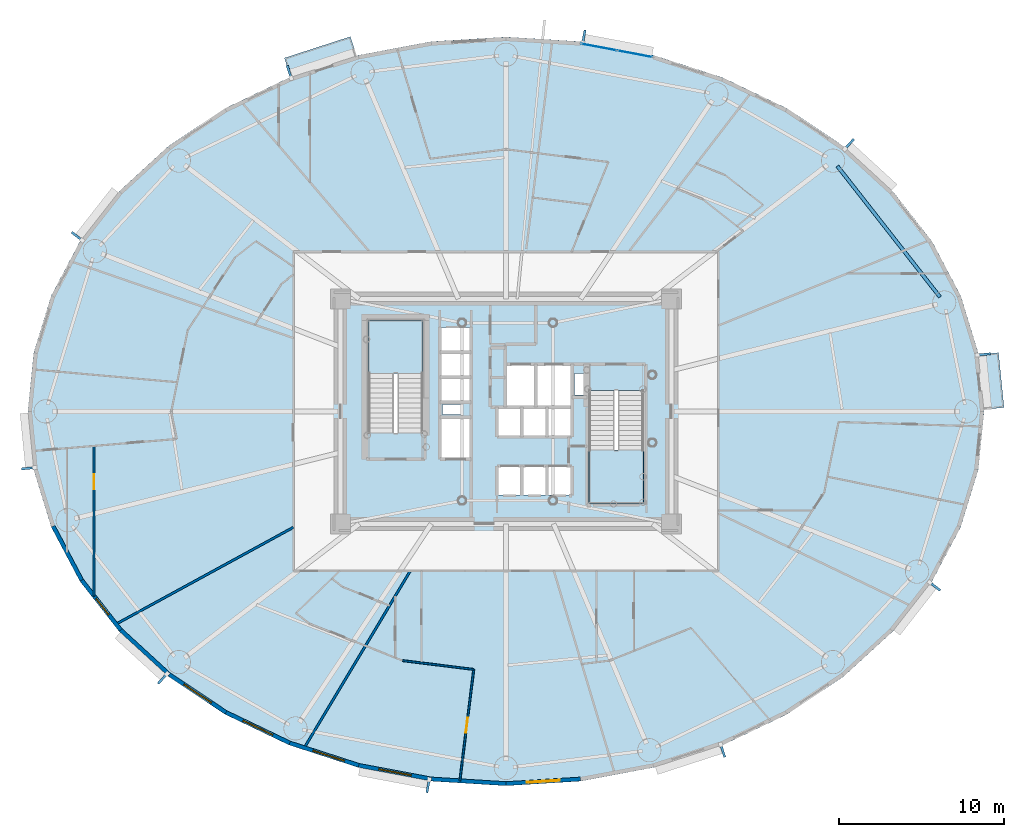
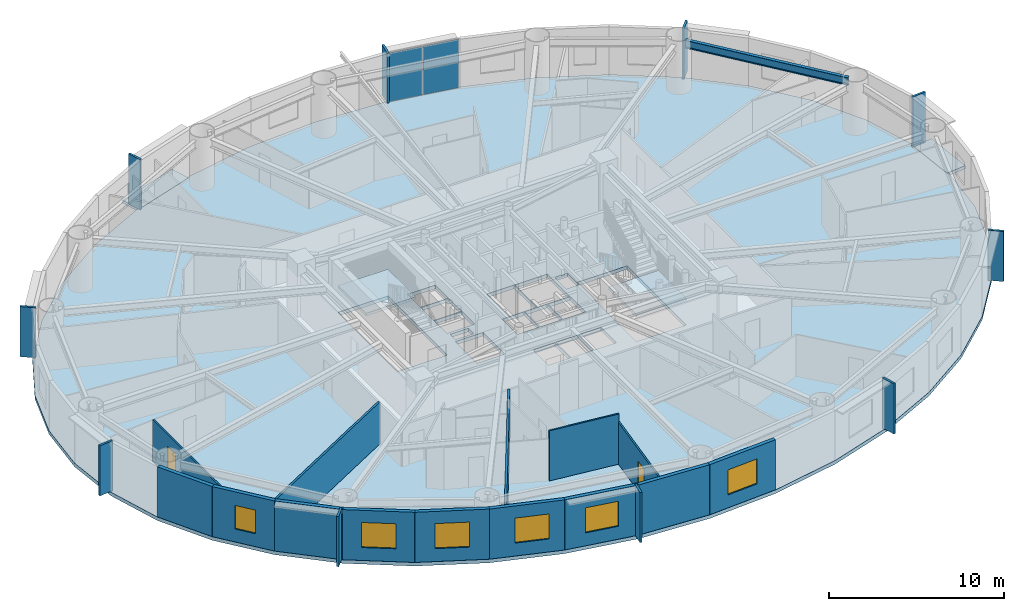
# One storey, part 6 of 18: 14 walls, 12 plates, 6 windows, 5 slabs, 2 doors, 1 beam, 8 openings, 3 elements without a shape of their own.
"""IFC4 building model written with IfcOpenShell, lengths in metres."""

from ifc_helpers import new_model, si_unit, direction, frame, frame_2d, origin, origin_2d, place, context, subcontext, project, spatial, polyline, rectangle, i_section, outline, extrude, source, transform, mapped, material, layer, layer_set, material_profile, profile_set, type_object, element, fill, aggregate, save


model = new_model("IFC4")

# Units and contexts
model_context = context("Model", 3, precision=1e-05, world=origin(), true_north=direction((0.0, 1.0)))
body_context = subcontext(model_context, "Body", "Model", "MODEL_VIEW")
ifc_project = project(units=[si_unit("LENGTHUNIT", "METRE"), si_unit("AREAUNIT", "SQUARE_METRE"), si_unit("VOLUMEUNIT", "CUBIC_METRE"), si_unit("PLANEANGLEUNIT", "RADIAN"), si_unit("MASSUNIT", "GRAM", prefix="KILO")], contexts=[model_context])

# Site, building, storey
site_placement = place(None, origin())
site = spatial("IfcSite", under=ifc_project, at=site_placement, CompositionType="ELEMENT")
building_placement = place(site_placement, origin())
building = spatial("IfcBuilding", under=site, at=building_placement, Name="Linh Dai School and Residence Tower", CompositionType="ELEMENT")
storey_placement = place(building_placement, frame((0.0, 0.0, 104.699951171875)))
storey = spatial("IfcBuildingStorey", under=building, at=storey_placement, Name="L24", CompositionType="ELEMENT", Elevation=104.699951171875)

# Beam
ifc_material_1 = material(Name="Structural Steel S355JR", Category="steel")
ifc_material_profile = material_profile(ifc_material_1, i_section(OverallWidth=0.2099609375, OverallDepth=0.550048828125, WebThickness=0.010986328125, FlangeThickness=0.01708984375, FilletRadius=0.02392578125, at=origin_2d()), Name="IPE 550")
ifc_profile_set = profile_set([ifc_material_profile], Name="Structural Steel S355JR")
beam_type = type_object("IfcBeamType", Name="BM-RB55", PredefinedType="BEAM", material=ifc_profile_set)
beam_placement = place(storey_placement, frame((62.233642578125, 33.91162109375, 3.22509765625), z_axis=(-0.616854830973, 0.787076945098, 0.0), x_axis=(-0.787076945098, -0.616854830973, 0.0)))
element("IfcBeam", 1, at=beam_placement, inside=storey, type_object=beam_type, Name="L24 Perimeter Elliptical Ring Beam 02", PredefinedType="BEAM", context=body_context, shape_type="SweptSolid", body=[
    extrude(i_section(OverallWidth=0.2099609375, OverallDepth=0.550048828125, WebThickness=0.010986328125, FlangeThickness=0.01708984375, FilletRadius=0.02392578125, at=origin_2d()), origin(), (0.0, 0.0, 1.0), 10.053955078125),
])

# Slabs
ifc_material_2 = material(Name="Concrete B45 (C35/45)", Category="concrete")
ifc_layer_1 = layer(ifc_material_2, 0.219970703125)
ifc_layer_set_1 = layer_set([ifc_layer_1], Name="Concrete B45 (C35/45)")
slab_type_1 = type_object("IfcSlabType", Name="SLB-BALC-220", PredefinedType="FLOOR", material=ifc_layer_set_1)
slab_1_placement = place(storey_placement, frame((0.0, 0.0, -0.219970703125)))
element("IfcSlab", 2, at=slab_1_placement, inside=storey, type_object=slab_type_1, Name="L24 Sliding Balcony Slab 01", PredefinedType="FLOOR", context=body_context, shape_type="SweptSolid", body=[
    extrude(outline(polyline([(64.4765625, 30.42041015625), (64.809814453125, 27.10400390625), (66.103271484375, 27.234130859375), (65.77001953125, 30.55029296875), (64.4765625, 30.42041015625)])), origin(), (0.0, 0.0, 1.0), 0.219970703125),
])
slab_2_placement = place(storey_placement, frame((0.0, 0.0, -0.219970703125)))
element("IfcSlab", 3, at=slab_2_placement, inside=storey, type_object=slab_type_1, Name="L24 Sliding Balcony Slab 13", PredefinedType="FLOOR", context=body_context, shape_type="SweptSolid", body=[
    extrude(outline(polyline([(23.00732421875, 47.12109375), (26.9912109375, 48.413330078125), (26.590087890625, 49.64990234375), (22.606201171875, 48.357666015625), (23.00732421875, 47.12109375)])), origin(), (0.0, 0.0, 1.0), 0.219970703125),
])
ifc_layer_2 = layer(ifc_material_2, 0.25)
ifc_layer_set_2 = layer_set([ifc_layer_2], Name="Concrete B45 (C35/45)")
slab_type_2 = type_object("IfcSlabType", Name="SLB-FLR250", PredefinedType="FLOOR", material=ifc_layer_set_2)
slab_3_placement = place(storey_placement, frame((0.0, 0.0, -0.25)))
element("IfcSlab", 4, at=slab_3_placement, inside=storey, type_object=slab_type_2, Name="L24 Composite Structural Floor Slab", PredefinedType="FLOOR", context=body_context, shape_type="SweptSolid", body=[
    extrude(outline(polyline([(64.89990234375, 27.0), (64.544189453125, 30.5400390625), (63.485595703125, 33.9931640625), (61.75, 37.27392578125), (59.380615234375, 40.301513671875), (56.435302734375, 43.001708984375), (52.987060546875, 45.30810546875), (49.120361328125, 47.16357421875), (44.9306640625, 48.5224609375), (40.52099609375, 49.351318359375), (36.0, 49.6298828125), (31.47900390625, 49.351318359375), (27.0693359375, 48.5224609375), (22.879638671875, 47.16357421875), (19.012939453125, 45.30810546875), (15.564697265625, 43.001708984375), (12.619384765625, 40.301513671875), (10.25, 37.27392578125), (8.514404296875, 33.9931640625), (7.455810546875, 30.5400390625), (7.10009765625, 27.0), (7.455810546875, 23.4599609375), (8.514404296875, 20.0068359375), (10.25, 16.72607421875), (12.619384765625, 13.698486328125), (15.564697265625, 10.998291015625), (19.012939453125, 8.69189453125), (22.879638671875, 6.83642578125), (27.0693359375, 5.4775390625), (31.47900390625, 4.648681640625), (36.0, 4.3701171875), (40.52099609375, 4.648681640625), (44.9306640625, 5.4775390625), (49.120361328125, 6.83642578125), (52.987060546875, 8.69189453125), (56.435302734375, 10.998291015625), (59.380615234375, 13.698486328125), (61.75, 16.72607421875), (63.485595703125, 20.0068359375), (64.544189453125, 23.4599609375), (64.89990234375, 27.0)]), holes=[polyline([(30.97998046875, 25.699951171875), (30.97998046875, 32.5), (27.679931640625, 32.5), (27.679931640625, 25.699951171875), (30.97998046875, 25.699951171875)]), polyline([(41.02001953125, 28.25), (41.02001953125, 21.449951171875), (44.320068359375, 21.449951171875), (44.320068359375, 28.25), (41.02001953125, 28.25)]), polyline([(35.97998046875, 27.280029296875), (37.77001953125, 27.280029296875), (37.77001953125, 29.820068359375), (35.97998046875, 29.820068359375), (35.97998046875, 27.280029296875)]), polyline([(32.030029296875, 24.1298828125), (33.8701171875, 24.1298828125), (33.8701171875, 26.6201171875), (32.030029296875, 26.6201171875), (32.030029296875, 24.1298828125)]), polyline([(37.830078125, 27.280029296875), (39.969970703125, 27.280029296875), (39.969970703125, 29.820068359375), (37.830078125, 29.820068359375), (37.830078125, 27.280029296875)]), polyline([(35.47998046875, 21.929931640625), (36.929931640625, 21.929931640625), (36.929931640625, 23.669921875), (35.47998046875, 23.669921875), (35.47998046875, 21.929931640625)]), polyline([(36.989990234375, 21.929931640625), (38.449951171875, 21.929931640625), (38.449951171875, 23.669921875), (36.989990234375, 23.669921875), (36.989990234375, 21.929931640625)]), polyline([(38.510009765625, 21.929931640625), (39.969970703125, 21.929931640625), (39.969970703125, 23.669921875), (38.510009765625, 23.669921875), (38.510009765625, 21.929931640625)]), polyline([(32.030029296875, 27.580078125), (33.8701171875, 27.580078125), (33.8701171875, 29.030029296875), (32.030029296875, 29.030029296875), (32.030029296875, 27.580078125)]), polyline([(32.030029296875, 29.090087890625), (33.8701171875, 29.090087890625), (33.8701171875, 30.550048828125), (32.030029296875, 30.550048828125), (32.030029296875, 29.090087890625)]), polyline([(32.030029296875, 30.610107421875), (33.8701171875, 30.610107421875), (33.8701171875, 32.070068359375), (32.030029296875, 32.070068359375), (32.030029296875, 30.610107421875)]), polyline([(35.47998046875, 25.47998046875), (36.929931640625, 25.47998046875), (36.929931640625, 27.219970703125), (35.47998046875, 27.219970703125), (35.47998046875, 25.47998046875)]), polyline([(36.989990234375, 25.47998046875), (38.449951171875, 25.47998046875), (38.449951171875, 27.219970703125), (36.989990234375, 27.219970703125), (36.989990234375, 25.47998046875)]), polyline([(38.510009765625, 25.47998046875), (39.969970703125, 25.47998046875), (39.969970703125, 27.219970703125), (38.510009765625, 27.219970703125), (38.510009765625, 25.47998046875)]), polyline([(40.14990234375, 28.0), (40.14990234375, 29.300048828125), (41.0, 29.300048828125), (41.0, 28.280029296875), (40.989990234375, 28.280029296875), (40.989990234375, 28.0), (40.14990234375, 28.0)]), polyline([(32.14990234375, 26.800048828125), (33.35009765625, 26.800048828125), (33.35009765625, 27.39990234375), (32.14990234375, 27.39990234375), (32.14990234375, 26.800048828125)])]), origin(), (0.0, 0.0, 1.0), 0.25),
])

# Stair, slab
stair_type = type_object("IfcStairType", Name="ST-DOG-1550-R1442", PredefinedType="HALF_TURN_STAIR", material=ifc_material_2)
stair_1_placement = place(storey_placement, origin())
stair_1 = element("IfcStair", 5, at=stair_1_placement, inside=storey, type_object=stair_type, Name="L24 Core Smokeproof Exit Stair ST1", PredefinedType="HALF_TURN_STAIR")
ifc_layer_3 = layer(ifc_material_2, 0.199951171875)
ifc_layer_set_3 = layer_set([ifc_layer_3], Name="Concrete B45 (C35/45)")
slab_type_3 = type_object("IfcSlabType", Name="SLB-ST-LANDING-200", PredefinedType="LANDING", material=ifc_layer_set_3)
slab_4_placement = place(storey_placement, frame((0.0, 0.0, 1.675048828125)))
slab_4 = element("IfcSlab", 6, at=slab_4_placement, type_object=slab_type_3, Name="ST1 landing 1", PredefinedType="LANDING", context=body_context, shape_type="SweptSolid", body=[
    extrude(outline(polyline([(30.97998046875, 29.300048828125), (30.97998046875, 32.5), (27.679931640625, 32.5), (27.679931640625, 29.300048828125), (30.97998046875, 29.300048828125)])), origin(), (0.0, 0.0, 1.0), 0.199951171875),
])
aggregate(stair_1, [slab_4])

stair_2_placement = place(storey_placement, origin())
stair_2 = element("IfcStair", 7, at=stair_2_placement, inside=storey, type_object=stair_type, Name="L24 Core Smokeproof Exit Stair ST2", PredefinedType="HALF_TURN_STAIR")
slab_5_placement = place(storey_placement, frame((0.0, 0.0, 1.675048828125)))
slab_5 = element("IfcSlab", 8, at=slab_5_placement, type_object=slab_type_3, Name="ST2 landing 1", PredefinedType="LANDING", context=body_context, shape_type="SweptSolid", body=[
    extrude(outline(polyline([(41.02001953125, 24.64990234375), (41.02001953125, 21.449951171875), (44.320068359375, 21.449951171875), (44.320068359375, 24.64990234375), (41.02001953125, 24.64990234375)])), origin(), (0.0, 0.0, 1.0), 0.199951171875),
])
aggregate(stair_2, [slab_5])

# Plates
ifc_material_3 = material(Name="Precast Concrete B45 (C35/45)", Category="concrete")
ifc_layer_4 = layer(ifc_material_3, 0.139892578125)
ifc_layer_set_4 = layer_set([ifc_layer_4], Name="Precast Concrete B45 (C35/45)")
plate_type_1 = type_object("IfcPlateType", Name="FIN-TC-900x140", PredefinedType="USERDEFINED", material=ifc_layer_set_4)
shared_shape_1 = source(origin(), body_context, "Body", "SweptSolid", [
    extrude(rectangle(XDim=0.89990234375, YDim=0.139892578125, at=origin_2d()), origin(), (0.0, 0.0, 1.0), 3.5),
])
for number, where, z_axis, x_axis, name in (
    (9, (64.841552734375, 30.43701171875, 0.0), (0.0, 0.0, 1.0), (0.994986703684, 0.100007297192, 0.0), "L24 Precast Terracotta Radial Fin 01"),
    (10, (56.723876953125, 43.12451171875, 0.0), (0.0, 0.0, 1.0), (0.675783395482, 0.737100266172, 0.0), "L24 Precast Terracotta Radial Fin 05"),
    (11, (40.69921875, 49.608154296875, 0.0), (0.0, 0.0, 1.0), (0.18475466193, 0.982784673718, 0.0), "L24 Precast Terracotta Radial Fin 09"),
    (12, (22.91357421875, 47.474365234375, 0.0), (0.0, 0.0, 1.0), (-0.308522363457, 0.951217089442, 0.0), "L24 Precast Terracotta Radial Fin 13"),
    (13, (10.105712890625, 37.552734375, 0.0), (0.0, 0.0, 1.0), (-0.787507539838, 0.616305017583, 0.0), "L24 Precast Terracotta Radial Fin 17"),
    (14, (7.158447265625, 23.56298828125, 0.0), (0.0, 0.0, 1.0), (-0.994986703684, -0.100007297192, 0.0), "L24 Precast Terracotta Radial Fin 21"),
    (15, (15.276123046875, 10.87548828125, 0.0), (0.0, 0.0, 1.0), (-0.675783395482, -0.737100266172, 0.0), "L24 Precast Terracotta Radial Fin 25"),
    (16, (31.30078125, 4.391845703125, 0.0), (0.0, 0.0, 1.0), (-0.18475466193, -0.982784673718, 0.0), "L24 Precast Terracotta Radial Fin 29"),
    (17, (49.08642578125, 6.525634765625, 0.0), (0.0, 0.0, 1.0), (0.308522363457, -0.951217089442, 0.0), "L24 Precast Terracotta Radial Fin 33"),
    (18, (61.894287109375, 16.447265625, 0.0), (0.0, 0.0, 1.0), (0.787507539838, -0.616305017583, 0.0), "L24 Precast Terracotta Radial Fin 37"),
):
    element("IfcPlate", number, at=place(storey_placement, frame(where, z_axis=z_axis, x_axis=x_axis)), inside=storey, type_object=plate_type_1, Name=name, ObjectType="RADIAL FIN", PredefinedType="USERDEFINED", context=body_context, shape_type="MappedRepresentation", body=[
        mapped(shared_shape_1, transform((0.0, 0.0, 0.0), x_axis=(1.0, 0.0, 0.0), y_axis=(0.0, 1.0, 0.0), z_axis=(0.0, 0.0, 1.0), scale=1.0)),
    ])

# Curtain wall, plates
ifc_material_4 = material(Name="Aluminium Anodised Curtain Wall", Category="aluminium")
ifc_layer_5 = layer(ifc_material_4, 0.14990234375)
ifc_layer_set_5 = layer_set([ifc_layer_5], Name="Aluminium Anodised Curtain Wall")
curtain_wall_type = type_object("IfcCurtainWallType", Name="CW-SYS-4", PredefinedType="USERDEFINED", material=ifc_layer_set_5)
curtain_wall_placement = place(storey_placement, origin())
curtain_wall = element("IfcCurtainWall", 19, at=curtain_wall_placement, inside=storey, type_object=curtain_wall_type, Name="L24 CW4 Curtain Wall 09", ObjectType="RIBBON CURTAIN WALL", PredefinedType="USERDEFINED")
ifc_material_5 = material(Name="Double Low-E Insulated Glazing", Category="glass")
ifc_layer_6 = layer(ifc_material_5, 0.02587890625)
ifc_layer_set_6 = layer_set([ifc_layer_6], Name="Double Low-E Insulated Glazing")
plate_type_2 = type_object("IfcPlateType", Name="CW-SYS-4-PAN", PredefinedType="CURTAIN_PANEL", material=ifc_layer_set_6)
shared_shape_2 = source(origin(), body_context, "Body", "SweptSolid", [
    extrude(rectangle(XDim=2.157470703125, YDim=0.02587890625, at=origin_2d()), origin(), (0.0, 0.0, 1.0), 3.39599609375),
])
plate_1_placement = place(storey_placement, frame((41.616943359375, 49.018310546875, 0.052001953125), z_axis=(0.0, 0.0, 1.0), x_axis=(0.982784673718, -0.18475466193, 0.0)))
plate_1 = element("IfcPlate", 20, at=plate_1_placement, type_object=plate_type_2, Name="CW4 panel 1.1", PredefinedType="CURTAIN_PANEL", context=body_context, shape_type="MappedRepresentation", body=[
    mapped(shared_shape_2, transform((0.0, 0.0, 0.0), x_axis=(1.0, 0.0, 0.0), y_axis=(0.0, 1.0, 0.0), z_axis=(0.0, 0.0, 1.0), scale=1.0)),
])
plate_2_placement = place(storey_placement, frame((43.788330078125, 48.610107421875, 0.052001953125), z_axis=(0.0, 0.0, 1.0), x_axis=(0.982784673718, -0.18475466193, 0.0)))
plate_2 = element("IfcPlate", 21, at=plate_2_placement, type_object=plate_type_2, Name="CW4 panel 2.1", PredefinedType="CURTAIN_PANEL", context=body_context, shape_type="MappedRepresentation", body=[
    mapped(shared_shape_2, transform((0.0, 0.0, 0.0), x_axis=(1.0, 0.0, 0.0), y_axis=(0.0, 1.0, 0.0), z_axis=(0.0, 0.0, 1.0), scale=1.0)),
])
aggregate(curtain_wall, [plate_1, plate_2])

# Wall
ifc_layer_7 = layer(ifc_material_3, 0.239990234375)
ifc_layer_set_7 = layer_set([ifc_layer_7], Name="Precast Concrete B45 (C35/45)")
wall_type_1 = type_object("IfcWallType", Name="EW-TC-240", PredefinedType="SOLIDWALL", material=ifc_layer_set_7)
wall_1_placement = place(storey_placement, frame((10.354736328125, 16.79443359375, 0.0), z_axis=(0.0, 0.0, 1.0), x_axis=(-0.467614004126, 0.883932770716, 0.0)))
element("IfcWall", 22, at=wall_1_placement, inside=storey, type_object=wall_type_1, Name="L24 Terracotta Exterior Wall 23", PredefinedType="SOLIDWALL", context=body_context, shape_type="SweptSolid", body=[
    extrude(rectangle(XDim=3.688720703125, YDim=0.239990234375, at=frame_2d((1.84423828125, 0.0))), origin(), (0.0, 0.0, 1.0), 3.5),
])

# Wall, opening, window
wall_2_placement = place(storey_placement, frame((12.7109375, 13.783447265625, 0.0), z_axis=(0.0, 0.0, 1.0), x_axis=(-0.616272103517, 0.787533297345, 0.0)))
wall_2 = element("IfcWall", 23, at=wall_2_placement, inside=storey, type_object=wall_type_1, Name="L24 Terracotta Exterior Wall 24", PredefinedType="SOLIDWALL", context=body_context, shape_type="SweptSolid", body=[
    extrude(rectangle(XDim=3.8232421875, YDim=0.239990234375, at=frame_2d((1.91162109375, 0.0))), origin(), (0.0, 0.0, 1.0), 3.5),
])
opening_1_placement = place(wall_2_placement, frame((1.168212890625, 0.0, 0.89990234375)))
opening_1 = element("IfcOpeningElement", 24, at=opening_1_placement, cuts=wall_2, Name="Opening W3", PredefinedType="OPENING", context=body_context, shape_type="SweptSolid", body=[
    extrude(rectangle(XDim=1.25, YDim=1.64990234375, at=origin_2d()), frame((0.625, 0.1298828125, 0.824951171875), z_axis=(0.0, -1.0, 0.0), x_axis=(1.0, 0.0, 0.0)), (0.0, 0.0, 1.0), 0.260009765625),
])
window_type_1 = type_object("IfcWindowType", Name="WN-RES-1250x1650", PartitioningType="SINGLE_PANEL", PredefinedType="WINDOW", material=ifc_material_5)
shared_shape_3 = source(origin(), body_context, "Body", "SweptSolid", [
    extrude(rectangle(XDim=1.25, YDim=1.64990234375, at=origin_2d()), frame((0.625, 0.030029296875, 0.824951171875), z_axis=(0.0, -1.0, 0.0), x_axis=(1.0, 0.0, 0.0)), (0.0, 0.0, 1.0), 0.06005859375),
])
window_1_placement = place(opening_1_placement, origin())
window_1 = element("IfcWindow", 25, at=window_1_placement, inside=storey, type_object=window_type_1, Name="L24 Exterior Window 24.1", OverallHeight=1.64990234375, OverallWidth=1.25, PartitioningType="SINGLE_PANEL", PredefinedType="WINDOW", context=body_context, shape_type="MappedRepresentation", body=[
    mapped(shared_shape_3, transform((0.0, 0.0, 0.0), x_axis=(1.0, 0.0, 0.0), y_axis=(0.0, 1.0, 0.0), z_axis=(0.0, 0.0, 1.0), scale=1.0)),
])
fill(opening_1, window_1)

# Wall
wall_3_placement = place(storey_placement, frame((15.6416015625, 11.0966796875, 0.0), z_axis=(0.0, 0.0, 1.0), x_axis=(-0.737113356241, 0.675769117414, 0.0)))
element("IfcWall", 26, at=wall_3_placement, inside=storey, type_object=wall_type_1, Name="L24 Terracotta Exterior Wall 25", PredefinedType="SOLIDWALL", context=body_context, shape_type="SweptSolid", body=[
    extrude(rectangle(XDim=3.975830078125, YDim=0.239990234375, at=frame_2d((1.98779296875, 0.0))), origin(), (0.0, 0.0, 1.0), 3.5),
])

# Wall, opening, window
wall_4_placement = place(storey_placement, frame((19.07470703125, 8.800537109375, 0.0), z_axis=(0.0, 0.0, 1.0), x_axis=(-0.831221811447, 0.555940914284, 0.0)))
wall_4 = element("IfcWall", 27, at=wall_4_placement, inside=storey, type_object=wall_type_1, Name="L24 Terracotta Exterior Wall 26", PredefinedType="SOLIDWALL", context=body_context, shape_type="SweptSolid", body=[
    extrude(rectangle(XDim=4.130126953125, YDim=0.239990234375, at=frame_2d((2.06494140625, 0.0))), origin(), (0.0, 0.0, 1.0), 3.5),
])
opening_2_placement = place(wall_4_placement, frame((1.06494140625, 0.0, 0.89990234375)))
opening_2 = element("IfcOpeningElement", 28, at=opening_2_placement, cuts=wall_4, Name="Opening W1", PredefinedType="OPENING", context=body_context, shape_type="SweptSolid", body=[
    extrude(rectangle(XDim=2.0, YDim=1.75, at=origin_2d()), frame((1.0, 0.1298828125, 0.875), z_axis=(0.0, -1.0, 0.0), x_axis=(1.0, 0.0, 0.0)), (0.0, 0.0, 1.0), 0.260009765625),
])
window_type_2 = type_object("IfcWindowType", Name="WN-RES-2000x1750", PartitioningType="DOUBLE_PANEL_VERTICAL", PredefinedType="WINDOW", material=ifc_material_5)
shared_shape_4 = source(origin(), body_context, "Body", "SweptSolid", [
    extrude(rectangle(XDim=2.0, YDim=1.75, at=origin_2d()), frame((1.0, 0.030029296875, 0.875), z_axis=(0.0, -1.0, 0.0), x_axis=(1.0, 0.0, 0.0)), (0.0, 0.0, 1.0), 0.06005859375),
])
window_2_placement = place(opening_2_placement, origin())
window_2 = element("IfcWindow", 29, at=window_2_placement, inside=storey, type_object=window_type_2, Name="L24 Exterior Window 26.1", OverallHeight=1.75, OverallWidth=2.0, PartitioningType="DOUBLE_PANEL_VERTICAL", PredefinedType="WINDOW", context=body_context, shape_type="MappedRepresentation", body=[
    mapped(shared_shape_4, transform((0.0, 0.0, 0.0), x_axis=(1.0, 0.0, 0.0), y_axis=(0.0, 1.0, 0.0), z_axis=(0.0, 0.0, 1.0), scale=1.0)),
])
fill(opening_2, window_2)

wall_5_placement = place(storey_placement, frame((22.926025390625, 6.95263671875, 0.0), z_axis=(0.0, 0.0, 1.0), x_axis=(-0.901589935876, 0.432591709962, 0.0)))
wall_5 = element("IfcWall", 30, at=wall_5_placement, inside=storey, type_object=wall_type_1, Name="L24 Terracotta Exterior Wall 27", PredefinedType="SOLIDWALL", context=body_context, shape_type="SweptSolid", body=[
    extrude(rectangle(XDim=4.271728515625, YDim=0.239990234375, at=frame_2d((2.1357421875, 0.0))), origin(), (0.0, 0.0, 1.0), 3.5),
])
opening_3_placement = place(wall_5_placement, frame((1.1357421875, 0.0, 0.89990234375)))
opening_3 = element("IfcOpeningElement", 31, at=opening_3_placement, cuts=wall_5, Name="Opening W1", PredefinedType="OPENING", context=body_context, shape_type="SweptSolid", body=[
    extrude(rectangle(XDim=2.0, YDim=1.75, at=origin_2d()), frame((1.0, 0.1298828125, 0.875), z_axis=(0.0, -1.0, 0.0), x_axis=(1.0, 0.0, 0.0)), (0.0, 0.0, 1.0), 0.260009765625),
])
window_3_placement = place(opening_3_placement, origin())
window_3 = element("IfcWindow", 32, at=window_3_placement, inside=storey, type_object=window_type_2, Name="L24 Exterior Window 27.1", OverallHeight=1.75, OverallWidth=2.0, PartitioningType="DOUBLE_PANEL_VERTICAL", PredefinedType="WINDOW", context=body_context, shape_type="MappedRepresentation", body=[
    mapped(shared_shape_4, transform((0.0, 0.0, 0.0), x_axis=(1.0, 0.0, 0.0), y_axis=(0.0, 1.0, 0.0), z_axis=(0.0, 0.0, 1.0), scale=1.0)),
])
fill(opening_3, window_3)

wall_6_placement = place(storey_placement, frame((27.100341796875, 5.5986328125, 0.0), z_axis=(0.0, 0.0, 1.0), x_axis=(-0.951211346073, 0.308540070495, 0.0)))
wall_6 = element("IfcWall", 33, at=wall_6_placement, inside=storey, type_object=wall_type_1, Name="L24 Terracotta Exterior Wall 28", PredefinedType="SOLIDWALL", context=body_context, shape_type="SweptSolid", body=[
    extrude(rectangle(XDim=4.388427734375, YDim=0.239990234375, at=frame_2d((2.1943359375, 0.0))), origin(), (0.0, 0.0, 1.0), 3.5),
])
opening_4_placement = place(wall_6_placement, frame((0.908935546875, 0.0, 0.89990234375)))
opening_4 = element("IfcOpeningElement", 34, at=opening_4_placement, cuts=wall_6, Name="Opening W1", PredefinedType="OPENING", context=body_context, shape_type="SweptSolid", body=[
    extrude(rectangle(XDim=2.0, YDim=1.75, at=origin_2d()), frame((1.0, 0.1298828125, 0.875), z_axis=(0.0, -1.0, 0.0), x_axis=(1.0, 0.0, 0.0)), (0.0, 0.0, 1.0), 0.260009765625),
])
window_4_placement = place(opening_4_placement, origin())
window_4 = element("IfcWindow", 35, at=window_4_placement, inside=storey, type_object=window_type_2, Name="L24 Exterior Window 28.1", OverallHeight=1.75, OverallWidth=2.0, PartitioningType="DOUBLE_PANEL_VERTICAL", PredefinedType="WINDOW", context=body_context, shape_type="MappedRepresentation", body=[
    mapped(shared_shape_4, transform((0.0, 0.0, 0.0), x_axis=(1.0, 0.0, 0.0), y_axis=(0.0, 1.0, 0.0), z_axis=(0.0, 0.0, 1.0), scale=1.0)),
])
fill(opening_4, window_4)

wall_7_placement = place(storey_placement, frame((31.494384765625, 4.772705078125, 0.0), z_axis=(0.0, 0.0, 1.0), x_axis=(-0.982789252177, 0.184730305596, 0.0)))
wall_7 = element("IfcWall", 36, at=wall_7_placement, inside=storey, type_object=wall_type_1, Name="L24 Terracotta Exterior Wall 29", PredefinedType="SOLIDWALL", context=body_context, shape_type="SweptSolid", body=[
    extrude(rectangle(XDim=4.470947265625, YDim=0.239990234375, at=frame_2d((2.2353515625, 0.0))), origin(), (0.0, 0.0, 1.0), 3.5),
])
opening_5_placement = place(wall_7_placement, frame((1.235595703125, 0.0, 0.89990234375)))
opening_5 = element("IfcOpeningElement", 37, at=opening_5_placement, cuts=wall_7, Name="Opening W1", PredefinedType="OPENING", context=body_context, shape_type="SweptSolid", body=[
    extrude(rectangle(XDim=2.0, YDim=1.75, at=origin_2d()), frame((1.0, 0.1298828125, 0.875), z_axis=(0.0, -1.0, 0.0), x_axis=(1.0, 0.0, 0.0)), (0.0, 0.0, 1.0), 0.260009765625),
])
window_5_placement = place(opening_5_placement, origin())
window_5 = element("IfcWindow", 38, at=window_5_placement, inside=storey, type_object=window_type_2, Name="L24 Exterior Window 29.1", OverallHeight=1.75, OverallWidth=2.0, PartitioningType="DOUBLE_PANEL_VERTICAL", PredefinedType="WINDOW", context=body_context, shape_type="MappedRepresentation", body=[
    mapped(shared_shape_4, transform((0.0, 0.0, 0.0), x_axis=(1.0, 0.0, 0.0), y_axis=(0.0, 1.0, 0.0), z_axis=(0.0, 0.0, 1.0), scale=1.0)),
])
fill(opening_5, window_5)

# Wall
wall_8_placement = place(storey_placement, frame((36.0, 4.4951171875, 0.0), z_axis=(0.0, 0.0, 1.0), x_axis=(-0.998107531589, 0.061492726276, 0.0)))
element("IfcWall", 39, at=wall_8_placement, inside=storey, type_object=wall_type_1, Name="L24 Terracotta Exterior Wall 30", PredefinedType="SOLIDWALL", context=body_context, shape_type="SweptSolid", body=[
    extrude(rectangle(XDim=4.51416015625, YDim=0.239990234375, at=frame_2d((2.257080078125, 0.0))), origin(), (0.0, 0.0, 1.0), 3.5),
])

# Wall, opening, window
wall_9_placement = place(storey_placement, frame((40.505615234375, 4.772705078125, 0.0), z_axis=(0.0, 0.0, 1.0), x_axis=(-0.998107531589, -0.061492726276, 0.0)))
wall_9 = element("IfcWall", 40, at=wall_9_placement, inside=storey, type_object=wall_type_1, Name="L24 Terracotta Exterior Wall 31", PredefinedType="SOLIDWALL", context=body_context, shape_type="SweptSolid", body=[
    extrude(rectangle(XDim=4.51416015625, YDim=0.239990234375, at=frame_2d((2.257080078125, 0.0))), origin(), (0.0, 0.0, 1.0), 3.5),
])
opening_6_placement = place(wall_9_placement, frame((1.257080078125, 0.0, 0.89990234375)))
opening_6 = element("IfcOpeningElement", 41, at=opening_6_placement, cuts=wall_9, Name="Opening W1", PredefinedType="OPENING", context=body_context, shape_type="SweptSolid", body=[
    extrude(rectangle(XDim=2.0, YDim=1.75, at=origin_2d()), frame((1.0, 0.1298828125, 0.875), z_axis=(0.0, -1.0, 0.0), x_axis=(1.0, 0.0, 0.0)), (0.0, 0.0, 1.0), 0.260009765625),
])
window_6_placement = place(opening_6_placement, origin())
window_6 = element("IfcWindow", 42, at=window_6_placement, inside=storey, type_object=window_type_2, Name="L24 Exterior Window 31.1", OverallHeight=1.75, OverallWidth=2.0, PartitioningType="DOUBLE_PANEL_VERTICAL", PredefinedType="WINDOW", context=body_context, shape_type="MappedRepresentation", body=[
    mapped(shared_shape_4, transform((0.0, 0.0, 0.0), x_axis=(1.0, 0.0, 0.0), y_axis=(0.0, 1.0, 0.0), z_axis=(0.0, 0.0, 1.0), scale=1.0)),
])
fill(opening_6, window_6)

# Walls
ifc_material_6 = material(Name="Autoclaved Aerated Concrete Blockwork", Category="masonry")
ifc_layer_8 = layer(ifc_material_6, 0.135009765625)
ifc_layer_set_8 = layer_set([ifc_layer_8], Name="Autoclaved Aerated Concrete Blockwork")
wall_type_2 = type_object("IfcWallType", Name="IW-CORR-135-EI90", PredefinedType="PARTITIONING", material=ifc_layer_set_8)
wall_10_placement = place(storey_placement, frame((12.427001953125, 14.13818359375, 0.0), z_axis=(0.0, 0.0, 1.0), x_axis=(0.877835987922, 0.47896135367, 0.0)))
element("IfcWall", 43, at=wall_10_placement, inside=storey, type_object=wall_type_2, Name="L24 Interior Partition Wall 006", PredefinedType="PARTITIONING", context=body_context, shape_type="SweptSolid", body=[
    extrude(rectangle(XDim=12.215087890625, YDim=0.135009765625, at=frame_2d((6.107421875, 0.0))), origin(), (0.0, 0.0, 1.0), 2.93505859375),
])
wall_11_placement = place(storey_placement, frame((23.8076171875, 6.661376953125, 0.0), z_axis=(0.0, 0.0, 1.0), x_axis=(0.51416439954, 0.857691652195, 0.0)))
element("IfcWall", 44, at=wall_11_placement, inside=storey, type_object=wall_type_2, Name="L24 Interior Partition Wall 021", PredefinedType="PARTITIONING", context=body_context, shape_type="SweptSolid", body=[
    extrude(rectangle(XDim=12.4619140625, YDim=0.135009765625, at=frame_2d((6.23095703125, 0.0))), origin(), (0.0, 0.0, 1.0), 2.93505859375),
])

# Wall, opening, door
ifc_material_7 = material(Name="Gypsum Plasterboard Acoustic Stud Partition", Category="masonry")
ifc_layer_9 = layer(ifc_material_7, 0.10009765625)
ifc_layer_set_9 = layer_set([ifc_layer_9], Name="Gypsum Plasterboard Acoustic Stud Partition")
wall_type_3 = type_object("IfcWallType", Name="IW-UNIT-100", PredefinedType="PARTITIONING", material=ifc_layer_set_9)
wall_12_placement = place(storey_placement, frame((11.099853515625, 15.833984375, 0.0), z_axis=(0.0, 0.0, 1.0), x_axis=(0.0, 1.0, 0.0)))
wall_12 = element("IfcWall", 45, at=wall_12_placement, inside=storey, type_object=wall_type_3, Name="L24 Interior Partition Wall 005", PredefinedType="PARTITIONING", context=body_context, shape_type="SweptSolid", body=[
    extrude(rectangle(XDim=9.07763671875, YDim=0.10009765625, at=frame_2d((4.538818359375, 0.0))), origin(), (0.0, 0.0, 1.0), 2.93505859375),
])
opening_7_placement = place(wall_12_placement, frame((6.47021484375, 0.0, 0.0)))
opening_7 = element("IfcOpeningElement", 46, at=opening_7_placement, cuts=wall_12, Name="Opening D05", PredefinedType="OPENING", context=body_context, shape_type="SweptSolid", body=[
    extrude(rectangle(XDim=0.89990234375, YDim=2.10009765625, at=origin_2d()), frame((0.449951171875, 0.06005859375, 1.050048828125), z_axis=(0.0, -1.0, 0.0), x_axis=(1.0, 0.0, 0.0)), (0.0, 0.0, 1.0), 0.1201171875),
])
ifc_material_8 = material(Name="Engineered Timber Internal Door", Category="wood")
door_type = type_object("IfcDoorType", Name="DR-INT-900x2100", OperationType="NOTDEFINED", PredefinedType="DOOR", material=ifc_material_8)
shared_shape_5 = source(origin(), body_context, "Body", "SweptSolid", [
    extrude(rectangle(XDim=0.89990234375, YDim=2.10009765625, at=origin_2d()), frame((0.449951171875, 0.02490234375, 1.050048828125), z_axis=(0.0, -1.0, 0.0), x_axis=(1.0, 0.0, 0.0)), (0.0, 0.0, 1.0), 0.050048828125),
])
door_1_placement = place(opening_7_placement, origin())
door_1 = element("IfcDoor", 47, at=door_1_placement, inside=storey, type_object=door_type, Name="L24 Apartment U2405 Kitchen Door", OperationType="SINGLE_SWING_RIGHT", OverallHeight=2.10009765625, OverallWidth=0.89990234375, PredefinedType="DOOR", context=body_context, shape_type="MappedRepresentation", body=[
    mapped(shared_shape_5, transform((0.0, 0.0, 0.0), x_axis=(1.0, 0.0, 0.0), y_axis=(0.0, 1.0, 0.0), z_axis=(0.0, 0.0, 1.0), scale=1.0)),
])
fill(opening_7, door_1)

# Wall
wall_13_placement = place(storey_placement, frame((29.74853515625, 11.934326171875, 0.0), z_axis=(0.0, 0.0, 1.0), x_axis=(0.992398657051, -0.123064639455, 0.0)))
element("IfcWall", 48, at=wall_13_placement, inside=storey, type_object=wall_type_3, Name="L24 Interior Partition Wall 029", PredefinedType="PARTITIONING", context=body_context, shape_type="SweptSolid", body=[
    extrude(rectangle(XDim=4.336669921875, YDim=0.10009765625, at=frame_2d((2.16845703125, 0.0))), origin(), (0.0, 0.0, 1.0), 3.5),
])

# Wall, opening, door
wall_14_placement = place(storey_placement, frame((33.210693359375, 4.661865234375, 0.0), z_axis=(0.0, 0.0, 1.0), x_axis=(0.123884295517, 0.992296670016, 0.0)))
wall_14 = element("IfcWall", 49, at=wall_14_placement, inside=storey, type_object=wall_type_3, Name="L24 Interior Partition Wall 039", PredefinedType="PARTITIONING", context=body_context, shape_type="SweptSolid", body=[
    extrude(rectangle(XDim=6.791015625, YDim=0.10009765625, at=frame_2d((3.3955078125, 0.0))), origin(), (0.0, 0.0, 1.0), 2.93505859375),
])
opening_8_placement = place(wall_14_placement, frame((2.945556640625, 0.0, 0.0)))
opening_8 = element("IfcOpeningElement", 50, at=opening_8_placement, cuts=wall_14, Name="Opening D05", PredefinedType="OPENING", context=body_context, shape_type="SweptSolid", body=[
    extrude(rectangle(XDim=0.89990234375, YDim=2.10009765625, at=origin_2d()), frame((0.449951171875, 0.06005859375, 1.050048828125), z_axis=(0.0, -1.0, 0.0), x_axis=(1.0, 0.0, 0.0)), (0.0, 0.0, 1.0), 0.1201171875),
])
door_2_placement = place(opening_8_placement, origin())
door_2 = element("IfcDoor", 51, at=door_2_placement, inside=storey, type_object=door_type, Name="L24 Apartment U2407 Principal Bedroom 1 Door", OperationType="SINGLE_SWING_LEFT", OverallHeight=2.10009765625, OverallWidth=0.89990234375, PredefinedType="DOOR", context=body_context, shape_type="MappedRepresentation", body=[
    mapped(shared_shape_5, transform((0.0, 0.0, 0.0), x_axis=(1.0, 0.0, 0.0), y_axis=(0.0, 1.0, 0.0), z_axis=(0.0, 0.0, 1.0), scale=1.0)),
])
fill(opening_8, door_2)

save(model, "model.ifc")
